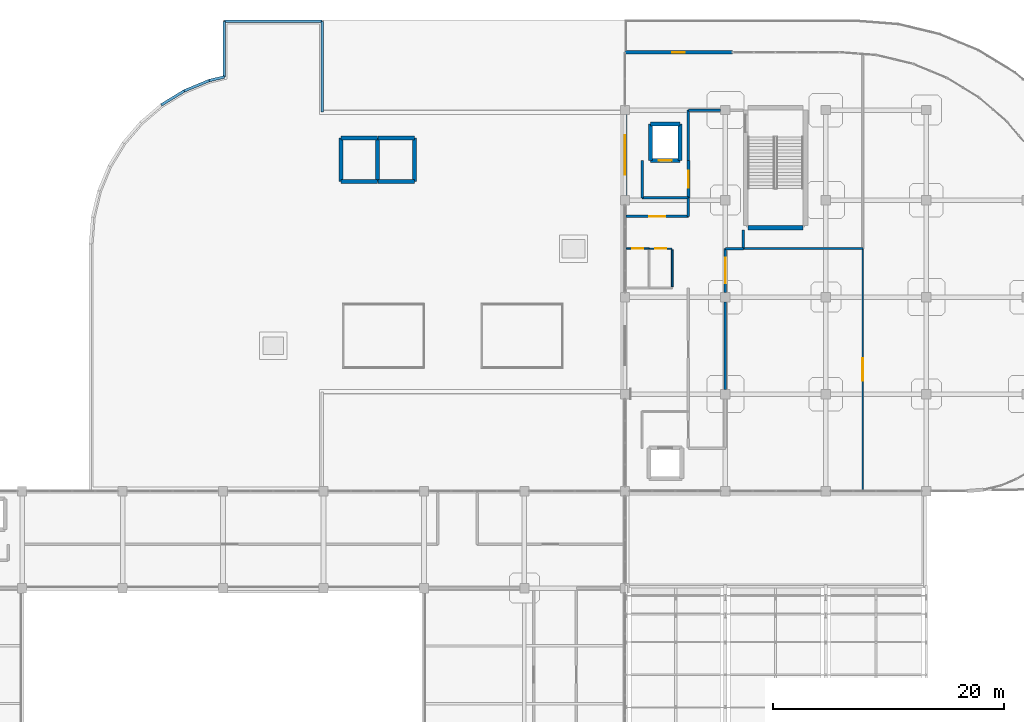
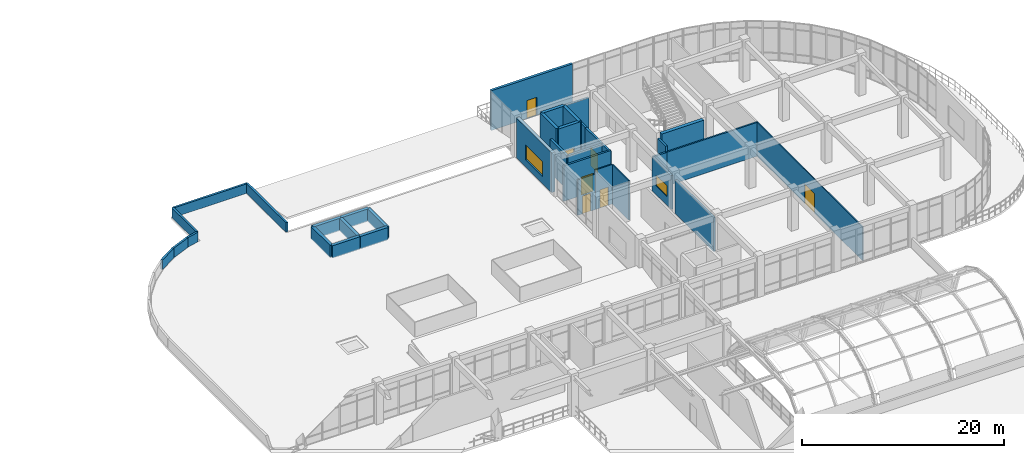
# One storey, part 109 of 124: 36 walls, 7 doors, 2 windows, 9 openings.
"""IFC4 building model written with IfcOpenShell, lengths in metres."""

from ifc_helpers import new_model, si_unit, derived_unit, direction, frame, frame_2d, origin, place, context, subcontext, project, spatial, rectangle, extrude, material, layer, layer_set, type_object, element, fill, save


model = new_model("IFC4")

# Units and contexts
model_context = context("Model", 3, precision=1e-05, world=origin(), true_north=direction((0.0, 1.0)))
body_context = subcontext(model_context, "Body", "Model", "MODEL_VIEW")
ifc_project = project(units=[si_unit("LENGTHUNIT", "METRE"), si_unit("AREAUNIT", "SQUARE_METRE"), si_unit("VOLUMEUNIT", "CUBIC_METRE"), si_unit("PLANEANGLEUNIT", "RADIAN"), si_unit("MASSUNIT", "GRAM", prefix="KILO"), derived_unit("THERMALTRANSMITTANCEUNIT", [(si_unit("MASSUNIT", "GRAM", prefix="KILO"), 1), (si_unit("TIMEUNIT", "SECOND"), -3), (si_unit("THERMODYNAMICTEMPERATUREUNIT", "KELVIN"), -1)])], contexts=[model_context])

# Site, building, storey
site_placement = place(None, origin())
site = spatial("IfcSite", under=ifc_project, at=site_placement, CompositionType="ELEMENT")
building_placement = place(site_placement, origin())
building = spatial("IfcBuilding", under=site, at=building_placement, Name="Qinzheling Arcade Emporium", CompositionType="ELEMENT")
storey_placement = place(building_placement, frame((0.0, 0.0, 16.5)))
storey = spatial("IfcBuildingStorey", under=building, at=storey_placement, Name="L04", CompositionType="ELEMENT", Elevation=16.5)

# Wall
ifc_material_1 = material(Name="Double-stud acoustic gypsum board partition")
ifc_layer_1 = layer(ifc_material_1, 0.215087890625, Name="Double-stud acoustic gypsum board partition")
ifc_layer_set_1 = layer_set([ifc_layer_1], Name="Double-stud acoustic gypsum board partition")
wall_type_1 = type_object("IfcWallType", Name="Acoustic Corridor Partition Wall 215", PredefinedType="PARTITIONING", material=ifc_layer_set_1)
wall_1_placement = place(storey_placement, frame((114.655029296875, 94.800048828125, 0.0), z_axis=(0.0, 0.0, 1.0), x_axis=(-1.0, 0.0, 0.0)))
element("IfcWall", 1, at=wall_1_placement, inside=storey, type_object=wall_type_1, Name="Interior Wall WL-L04-INT-0626", PredefinedType="PARTITIONING", context=body_context, shape_type="SweptSolid", body=[
    extrude(rectangle(XDim=1.554931640625, YDim=0.215087890625, at=frame_2d((0.77734375, 0.0))), origin(), (0.0, 0.0, 1.0), 4.074951171875),
])

# Wall, opening, window
wall_2_placement = place(storey_placement, frame((113.10009765625, 94.800048828125, 0.0), z_axis=(0.0, 0.0, 1.0), x_axis=(0.0, -1.0, 0.0)))
wall_2 = element("IfcWall", 2, at=wall_2_placement, inside=storey, type_object=wall_type_1, Name="Interior Wall WL-L04-INT-0627", PredefinedType="PARTITIONING", context=body_context, shape_type="SweptSolid", body=[
    extrude(rectangle(XDim=3.7900390625, YDim=0.215087890625, at=frame_2d((1.89501953125, 0.0))), origin(), (0.0, 0.0, 1.0), 4.074951171875),
])
opening_1_placement = place(wall_2_placement, frame((0.794921875, 0.0, 1.050048828125)))
opening_1 = element("IfcOpeningElement", 3, at=opening_1_placement, cuts=wall_2, Name="Opening IW01", PredefinedType="OPENING", context=body_context, shape_type="SweptSolid", body=[
    extrude(rectangle(XDim=2.199951171875, YDim=1.300048828125, at=frame_2d((1.10009765625, 0.64990234375))), frame((0.0, 0.11767578125, 0.0), z_axis=(0.0, -1.0, 0.0), x_axis=(1.0, 0.0, 0.0)), (0.0, 0.0, 1.0), 0.235107421875),
])
ifc_material_2 = material(Name="EI 60 fire-resistant clear safety glazing in steel frame", Category="steel")
window_type_1 = type_object("IfcWindowType", Name="Interior Fire-Glazed Observation Window 2200x1300", PartitioningType="DOUBLE_PANEL_VERTICAL", PredefinedType="USERDEFINED", material=ifc_material_2)
window_1_placement = place(opening_1_placement, origin())
window_1 = element("IfcWindow", 4, at=window_1_placement, inside=storey, type_object=window_type_1, Name="Interior Observation Window IWN-L04-03", ObjectType="BORROWED_LIGHT", OverallHeight=1.300048828125, OverallWidth=2.199951171875, PartitioningType="DOUBLE_PANEL_VERTICAL", PredefinedType="USERDEFINED", context=body_context, shape_type="SweptSolid", body=[
    extrude(rectangle(XDim=2.199951171875, YDim=1.300048828125, at=frame_2d((1.10009765625, 0.64990234375))), frame((0.0, 0.030029296875, 0.0), z_axis=(0.0, -1.0, 0.0), x_axis=(1.0, 0.0, 0.0)), (0.0, 0.0, 1.0), 0.06005859375),
])
fill(opening_1, window_1)

# Wall
wall_3_placement = place(storey_placement, frame((113.10009765625, 90.18994140625, 0.0), z_axis=(0.0, 0.0, 1.0), x_axis=(0.0, -1.0, 0.0)))
element("IfcWall", 5, at=wall_3_placement, inside=storey, type_object=wall_type_1, Name="Interior Wall WL-L04-INT-0628", PredefinedType="PARTITIONING", context=body_context, shape_type="SweptSolid", body=[
    extrude(rectangle(XDim=7.579833984375, YDim=0.215087890625, at=frame_2d((3.7900390625, 0.0))), origin(), (0.0, 0.0, 1.0), 4.074951171875),
])

# Wall, opening, door
wall_4_placement = place(storey_placement, frame((104.5, 97.60009765625, 0.0), z_axis=(0.0, 0.0, 1.0), x_axis=(1.0, 0.0, 0.0)))
wall_4 = element("IfcWall", 6, at=wall_4_placement, inside=storey, type_object=wall_type_1, Name="Interior Wall WL-L04-INT-0632", PredefinedType="PARTITIONING", context=body_context, shape_type="SweptSolid", body=[
    extrude(rectangle(XDim=5.39990234375, YDim=0.215087890625, at=frame_2d((2.699951171875, 0.0))), origin(), (0.0, 0.0, 1.0), 4.27490234375),
])
opening_2_placement = place(wall_4_placement, frame((2.02490234375, 0.0, 0.0)))
opening_2 = element("IfcOpeningElement", 7, at=opening_2_placement, cuts=wall_4, Name="Opening FD05", PredefinedType="OPENING", context=body_context, shape_type="SweptSolid", body=[
    extrude(rectangle(XDim=1.35009765625, YDim=2.199951171875, at=frame_2d((0.675048828125, 1.10009765625))), frame((0.0, 0.11767578125, 0.0), z_axis=(0.0, -1.0, 0.0), x_axis=(1.0, 0.0, 0.0)), (0.0, 0.0, 1.0), 0.235107421875),
])
ifc_material_3 = material(Name="Class B fire-rated stainless-clad door")
door_type_1 = type_object("IfcDoorType", Name="Kitchen Fire-Rated Service Door 1350x2200", OperationType="NOTDEFINED", PredefinedType="DOOR", material=ifc_material_3)
door_1_placement = place(opening_2_placement, origin())
door_1 = element("IfcDoor", 8, at=door_1_placement, inside=storey, type_object=door_type_1, Name="FD05 Interior Door DR-L04-INT-0192", OperationType="SINGLE_SWING_RIGHT", OverallHeight=2.199951171875, OverallWidth=1.35009765625, PredefinedType="DOOR", context=body_context, shape_type="SweptSolid", body=[
    extrude(rectangle(XDim=1.35009765625, YDim=2.199951171875, at=frame_2d((0.675048828125, 1.10009765625))), frame((0.0, 0.02490234375, 0.0), z_axis=(0.0, -1.0, 0.0), x_axis=(1.0, 0.0, 0.0)), (0.0, 0.0, 1.0), 0.050048828125),
])
fill(opening_2, door_1)

# Walls
wall_5_placement = place(storey_placement, frame((109.89990234375, 97.60009765625, 0.0), z_axis=(0.0, 0.0, 1.0), x_axis=(0.0, 1.0, 0.0)))
element("IfcWall", 9, at=wall_5_placement, inside=storey, type_object=wall_type_1, Name="Interior Wall WL-L04-INT-0633", PredefinedType="PARTITIONING", context=body_context, shape_type="SweptSolid", body=[
    extrude(rectangle(XDim=1.599853515625, YDim=0.215087890625, at=frame_2d((0.7998046875, 0.0))), origin(), (0.0, 0.0, 1.0), 4.074951171875),
])
wall_6_placement = place(storey_placement, frame((109.89990234375, 102.419921875, 0.0), z_axis=(0.0, 0.0, 1.0), x_axis=(0.0, 1.0, 0.0)))
element("IfcWall", 10, at=wall_6_placement, inside=storey, type_object=wall_type_1, Name="Interior Wall WL-L04-INT-0634", PredefinedType="PARTITIONING", context=body_context, shape_type="SweptSolid", body=[
    extrude(rectangle(XDim=4.380126953125, YDim=0.215087890625, at=frame_2d((2.18994140625, 0.0))), origin(), (0.0, 0.0, 1.0), 4.074951171875),
])
wall_7_placement = place(storey_placement, frame((109.89990234375, 106.800048828125, 0.0), z_axis=(0.0, 0.0, 1.0), x_axis=(1.0, 0.0, 0.0)))
element("IfcWall", 11, at=wall_7_placement, inside=storey, type_object=wall_type_1, Name="Interior Wall WL-L04-INT-0635", PredefinedType="PARTITIONING", context=body_context, shape_type="SweptSolid", body=[
    extrude(rectangle(XDim=2.7900390625, YDim=0.215087890625, at=frame_2d((1.39501953125, 0.0))), origin(), (0.0, 0.0, 1.0), 4.074951171875),
])
wall_8_placement = place(storey_placement, frame((114.655029296875, 96.39990234375, 0.0), z_axis=(0.0, 0.0, 1.0), x_axis=(0.0, -1.0, 0.0)))
element("IfcWall", 12, at=wall_8_placement, inside=storey, type_object=wall_type_1, Name="Interior Wall WL-L04-INT-0637", PredefinedType="PARTITIONING", context=body_context, shape_type="SweptSolid", body=[
    extrude(rectangle(XDim=1.599853515625, YDim=0.215087890625, at=frame_2d((0.7998046875, 0.0))), origin(), (0.0, 0.0, 1.0), 4.760009765625),
])
ifc_material_4 = material(Name="Concrete C40", Category="concrete")
ifc_layer_2 = layer(ifc_material_4, 0.35498046875, Name="Concrete C40", Category="concrete")
ifc_layer_set_2 = layer_set([ifc_layer_2], Name="Concrete C40")
wall_type_2 = type_object("IfcWallType", Name="Exterior Lift Overrun Shear Wall 355 C40", PredefinedType="SHEAR", material=ifc_layer_set_2)
for number, where, z_axis, x_axis, name in (
    (13, (79.824951171875, 104.375, 0.0), (0.0, 0.0, 1.0), (1.0, 0.0, 0.0), "Lift Overrun Wall WL-L04-OVR-LG01-N"),
    (14, (82.97509765625, 100.625, 0.0), (0.0, 0.0, 1.0), (-1.0, 0.0, 0.0), "Lift Overrun Wall WL-L04-OVR-LG01-S"),
):
    element("IfcWall", number, at=place(storey_placement, frame(where, z_axis=z_axis, x_axis=x_axis)), inside=storey, type_object=wall_type_2, Name=name, PredefinedType="SHEAR", context=body_context, shape_type="SweptSolid", body=[
        extrude(rectangle(XDim=3.150146484375, YDim=0.35498046875, at=frame_2d((1.5751953125, 0.0))), origin(), (0.0, 0.0, 1.0), 1.5),
    ])
for number, where, z_axis, x_axis, name in (
    (15, (79.824951171875, 100.625, 0.0), (0.0, 0.0, 1.0), (0.0, 1.0, 0.0), "Lift Overrun Wall WL-L04-OVR-LG01-W"),
    (16, (82.97509765625, 104.375, 0.0), (0.0, 0.0, 1.0), (0.0, -1.0, 0.0), "Lift Overrun Wall WL-L04-OVR-LG01-E"),
):
    element("IfcWall", number, at=place(storey_placement, frame(where, z_axis=z_axis, x_axis=x_axis)), inside=storey, type_object=wall_type_2, Name=name, PredefinedType="SHEAR", context=body_context, shape_type="SweptSolid", body=[
        extrude(rectangle(XDim=3.75, YDim=0.35498046875, at=frame_2d((1.875, 0.0))), origin(), (0.0, 0.0, 1.0), 1.5),
    ])
for number, where, z_axis, x_axis, name in (
    (17, (83.02490234375, 104.375, 0.0), (0.0, 0.0, 1.0), (1.0, 0.0, 0.0), "Lift Overrun Wall WL-L04-OVR-LG02-N"),
    (18, (86.175048828125, 100.625, 0.0), (0.0, 0.0, 1.0), (-1.0, 0.0, 0.0), "Lift Overrun Wall WL-L04-OVR-LG02-S"),
):
    element("IfcWall", number, at=place(storey_placement, frame(where, z_axis=z_axis, x_axis=x_axis)), inside=storey, type_object=wall_type_2, Name=name, PredefinedType="SHEAR", context=body_context, shape_type="SweptSolid", body=[
        extrude(rectangle(XDim=3.150146484375, YDim=0.35498046875, at=frame_2d((1.5751953125, 0.0))), origin(), (0.0, 0.0, 1.0), 1.5),
    ])
wall_9_placement = place(storey_placement, frame((86.175048828125, 104.375, 0.0), z_axis=(0.0, 0.0, 1.0), x_axis=(0.0, -1.0, 0.0)))
element("IfcWall", 19, at=wall_9_placement, inside=storey, type_object=wall_type_2, Name="Lift Overrun Wall WL-L04-OVR-LG02-E", PredefinedType="SHEAR", context=body_context, shape_type="SweptSolid", body=[
    extrude(rectangle(XDim=3.75, YDim=0.35498046875, at=frame_2d((1.875, 0.0))), origin(), (0.0, 0.0, 1.0), 1.5),
])

# Wall, opening, door
ifc_material_5 = material(Name="Fire-rated double-stud gypsum and mineral wool wall")
ifc_layer_3 = layer(ifc_material_5, 0.2451171875, Name="Fire-rated double-stud gypsum and mineral wool wall")
ifc_layer_set_3 = layer_set([ifc_layer_3], Name="Fire-rated double-stud gypsum and mineral wool wall")
wall_type_3 = type_object("IfcWallType", Name="Firefighting Lobby Rated Wall 245", PredefinedType="STANDARD", material=ifc_layer_set_3)
wall_10_placement = place(storey_placement, frame((109.89990234375, 102.419921875, 0.0), z_axis=(0.0, 0.0, 1.0), x_axis=(0.0, -1.0, 0.0)))
wall_10 = element("IfcWall", 20, at=wall_10_placement, inside=storey, type_object=wall_type_3, Name="Interior Wall WL-L04-INT-0595", PredefinedType="STANDARD", context=body_context, shape_type="SweptSolid", body=[
    extrude(rectangle(XDim=3.219970703125, YDim=0.2451171875, at=frame_2d((1.60986328125, 0.0))), origin(), (0.0, 0.0, 1.0), 4.074951171875),
])
opening_3_placement = place(wall_10_placement, frame((0.885009765625, 0.0, 0.0)))
opening_3 = element("IfcOpeningElement", 21, at=opening_3_placement, cuts=wall_10, Name="Opening FD02", PredefinedType="OPENING", context=body_context, shape_type="SweptSolid", body=[
    extrude(rectangle(XDim=1.449951171875, YDim=2.199951171875, at=frame_2d((0.72509765625, 1.10009765625))), frame((0.0, 0.132568359375, 0.0), z_axis=(0.0, -1.0, 0.0), x_axis=(1.0, 0.0, 0.0)), (0.0, 0.0, 1.0), 0.26513671875),
])
ifc_material_6 = material(Name="Class A fire-rated steel double door", Category="steel")
door_type_2 = type_object("IfcDoorType", Name="Firefighting Lobby Fire Door 1450x2200", OperationType="DOUBLE_DOOR_SINGLE_SWING", PredefinedType="DOOR", material=ifc_material_6)
door_2_placement = place(opening_3_placement, origin())
door_2 = element("IfcDoor", 22, at=door_2_placement, inside=storey, type_object=door_type_2, Name="FD02 Interior Door DR-L04-INT-0165", OperationType="DOUBLE_DOOR_SINGLE_SWING", OverallHeight=2.199951171875, OverallWidth=1.449951171875, PredefinedType="DOOR", context=body_context, shape_type="SweptSolid", body=[
    extrude(rectangle(XDim=1.449951171875, YDim=2.199951171875, at=frame_2d((0.72509765625, 1.10009765625))), frame((0.0, 0.02490234375, 0.0), z_axis=(0.0, -1.0, 0.0), x_axis=(1.0, 0.0, 0.0)), (0.0, 0.0, 1.0), 0.050048828125),
])
fill(opening_3, door_2)

# Walls
wall_11_placement = place(storey_placement, frame((109.89990234375, 99.199951171875, 0.0), z_axis=(0.0, 0.0, 1.0), x_axis=(-1.0, 0.0, 0.0)))
element("IfcWall", 23, at=wall_11_placement, inside=storey, type_object=wall_type_3, Name="Interior Wall WL-L04-INT-0596", PredefinedType="STANDARD", context=body_context, shape_type="SweptSolid", body=[
    extrude(rectangle(XDim=4.0, YDim=0.2451171875, at=frame_2d((2.0, 0.0))), origin(), (0.0, 0.0, 1.0), 4.074951171875),
])
wall_12_placement = place(storey_placement, frame((105.89990234375, 99.199951171875, 0.0), z_axis=(0.0, 0.0, 1.0), x_axis=(0.0, 1.0, 0.0)))
element("IfcWall", 24, at=wall_12_placement, inside=storey, type_object=wall_type_3, Name="Interior Wall WL-L04-INT-0597", PredefinedType="STANDARD", context=body_context, shape_type="SweptSolid", body=[
    extrude(rectangle(XDim=3.219970703125, YDim=0.2451171875, at=frame_2d((1.60986328125, 0.0))), origin(), (0.0, 0.0, 1.0), 4.074951171875),
])

# Wall, opening, window
ifc_material_7 = material(Name="Fluted granite ashlar on Concrete C40", Category="masonry")
ifc_layer_4 = layer(ifc_material_7, 0.35009765625, Name="Fluted granite ashlar on Concrete C40", Category="masonry")
ifc_layer_set_4 = layer_set([ifc_layer_4], Name="Fluted granite ashlar on Concrete C40")
wall_type_4 = type_object("IfcWallType", Name="Fluted Granite Logistics Wall 350", PredefinedType="STANDARD", material=ifc_layer_set_4)
wall_13_placement = place(storey_placement, frame((104.39990234375, 99.402099609375, 0.0), z_axis=(0.0, 0.0, 1.0), x_axis=(0.0, 1.0, 0.0)))
wall_13 = element("IfcWall", 25, at=wall_13_placement, inside=storey, type_object=wall_type_4, Name="Exterior Wall WL-L04-EW-0241", PredefinedType="STANDARD", context=body_context, shape_type="SweptSolid", body=[
    extrude(rectangle(XDim=6.995849609375, YDim=0.35009765625, at=frame_2d((3.498046875, 0.0))), origin(), (0.0, 0.0, 1.0), 4.7900390625),
])
opening_4_placement = place(wall_13_placement, frame((1.798095703125, 0.0, 0.85009765625)))
opening_4 = element("IfcOpeningElement", 26, at=opening_4_placement, cuts=wall_13, Name="Opening WN33", PredefinedType="OPENING", context=body_context, shape_type="SweptSolid", body=[
    extrude(rectangle(XDim=3.39990234375, YDim=1.800048828125, at=frame_2d((1.699951171875, 0.89990234375))), frame((0.0, 0.18505859375, 0.0), z_axis=(0.0, -1.0, 0.0), x_axis=(1.0, 0.0, 0.0)), (0.0, 0.0, 1.0), 0.3701171875),
])
ifc_material_8 = material(Name="Thermally broken aluminium frame with solar-control double glazing", Category="aluminium")
window_type_2 = type_object("IfcWindowType", Name="Chicago Tripartite Window 3400x1800", PartitioningType="TRIPLE_PANEL_VERTICAL", PredefinedType="WINDOW", material=ifc_material_8)
window_2_placement = place(opening_4_placement, origin())
window_2 = element("IfcWindow", 27, at=window_2_placement, inside=storey, type_object=window_type_2, Name="WN33 Window WN-L04-0064", OverallHeight=1.800048828125, OverallWidth=3.39990234375, PartitioningType="TRIPLE_PANEL_VERTICAL", PredefinedType="WINDOW", context=body_context, shape_type="SweptSolid", body=[
    extrude(rectangle(XDim=3.39990234375, YDim=1.800048828125, at=frame_2d((1.699951171875, 0.89990234375))), frame((0.0, 0.030029296875, 0.0), z_axis=(0.0, -1.0, 0.0), x_axis=(1.0, 0.0, 0.0)), (0.0, 0.0, 1.0), 0.06005859375),
])
fill(opening_4, window_2)

# Walls
ifc_material_9 = material(Name="Precast concrete C40", Category="concrete")
ifc_layer_5 = layer(ifc_material_9, 0.22998046875, Name="Precast concrete C40", Category="concrete")
ifc_layer_set_5 = layer_set([ifc_layer_5], Name="Precast concrete C40")
wall_type_5 = type_object("IfcWallType", Name="Logistics Acoustic Roof Parapet 230", PredefinedType="PARAPET", material=ifc_layer_set_5)
wall_14_placement = place(storey_placement, frame((64.2509765625, 107.241943359375, 0.0), z_axis=(0.0, 0.0, 1.0), x_axis=(0.852658350045, 0.522468887207, 0.0)))
element("IfcWall", 28, at=wall_14_placement, inside=storey, type_object=wall_type_5, Name="Roof Parapet WL-L04-PW-020", PredefinedType="PARAPET", context=body_context, shape_type="SweptSolid", body=[
    extrude(rectangle(XDim=2.3349609375, YDim=0.22998046875, at=frame_2d((1.16748046875, 0.0))), origin(), (0.0, 0.0, 1.0), 1.14990234375),
])
wall_15_placement = place(storey_placement, frame((66.241943359375, 108.4619140625, 0.0), z_axis=(0.0, 0.0, 1.0), x_axis=(0.923912424542, 0.382604014325, 0.0)))
element("IfcWall", 29, at=wall_15_placement, inside=storey, type_object=wall_type_5, Name="Roof Parapet WL-L04-PW-021", PredefinedType="PARAPET", context=body_context, shape_type="SweptSolid", body=[
    extrude(rectangle(XDim=2.336669921875, YDim=0.22998046875, at=frame_2d((1.16845703125, 0.0))), origin(), (0.0, 0.0, 1.0), 1.14990234375),
])
wall_16_placement = place(storey_placement, frame((68.40087890625, 109.35595703125, 0.0), z_axis=(0.0, 0.0, 1.0), x_axis=(0.972465958692, 0.233044972453, 0.0)))
element("IfcWall", 30, at=wall_16_placement, inside=storey, type_object=wall_type_5, Name="Roof Parapet WL-L04-PW-022", PredefinedType="PARAPET", context=body_context, shape_type="SweptSolid", body=[
    extrude(rectangle(XDim=1.351318359375, YDim=0.22998046875, at=frame_2d((0.67578125, 0.0))), origin(), (0.0, 0.0, 1.0), 1.14990234375),
])
wall_17_placement = place(storey_placement, frame((69.715087890625, 109.6708984375, 0.0), z_axis=(0.0, 0.0, 1.0), x_axis=(0.0, 1.0, 0.0)))
element("IfcWall", 31, at=wall_17_placement, inside=storey, type_object=wall_type_5, Name="Roof Parapet WL-L04-PW-023", PredefinedType="PARAPET", context=body_context, shape_type="SweptSolid", body=[
    extrude(rectangle(XDim=4.814208984375, YDim=0.22998046875, at=frame_2d((2.4072265625, 0.0))), origin(), (0.0, 0.0, 1.0), 1.14990234375),
])
wall_18_placement = place(storey_placement, frame((69.715087890625, 114.485107421875, 0.0), z_axis=(0.0, 0.0, 1.0), x_axis=(1.0, 0.0, 0.0)))
element("IfcWall", 32, at=wall_18_placement, inside=storey, type_object=wall_type_5, Name="Roof Parapet WL-L04-PW-024", PredefinedType="PARAPET", context=body_context, shape_type="SweptSolid", body=[
    extrude(rectangle(XDim=8.469970703125, YDim=0.22998046875, at=frame_2d((4.23486328125, 0.0))), origin(), (0.0, 0.0, 1.0), 1.14990234375),
])
wall_19_placement = place(storey_placement, frame((78.18505859375, 114.485107421875, 0.0), z_axis=(0.0, 0.0, 1.0), x_axis=(0.0, -1.0, 0.0)))
element("IfcWall", 33, at=wall_19_placement, inside=storey, type_object=wall_type_5, Name="Roof Parapet WL-L04-PW-025", PredefinedType="PARAPET", context=body_context, shape_type="SweptSolid", body=[
    extrude(rectangle(XDim=7.85009765625, YDim=0.22998046875, at=frame_2d((3.925048828125, 0.0))), origin(), (0.0, 0.0, 1.0), 1.14990234375),
])

# Wall, opening, door
ifc_material_10 = material(Name="Buff glazed terracotta insulated wall", Category="masonry")
ifc_layer_6 = layer(ifc_material_10, 0.2900390625, Name="Buff glazed terracotta insulated wall", Category="masonry")
ifc_layer_set_6 = layer_set([ifc_layer_6], Name="Buff glazed terracotta insulated wall")
wall_type_6 = type_object("IfcWallType", Name="Office Bar Terracotta Wall 290", PredefinedType="STANDARD", material=ifc_layer_set_6)
wall_20_placement = place(storey_placement, frame((104.39990234375, 111.800048828125, 0.0), z_axis=(0.0, 0.0, 1.0), x_axis=(1.0, 0.0, 0.0)))
wall_20 = element("IfcWall", 34, at=wall_20_placement, inside=storey, type_object=wall_type_6, Name="Exterior Wall WL-L04-EW-0242", PredefinedType="STANDARD", context=body_context, shape_type="SweptSolid", body=[
    extrude(rectangle(XDim=9.298095703125, YDim=0.2900390625, at=frame_2d((4.64892578125, 0.0))), origin(), (0.0, 0.0, 1.0), 4.7900390625),
])
opening_5_placement = place(wall_20_placement, frame((4.09912109375, 0.0, 0.0)))
opening_5 = element("IfcOpeningElement", 35, at=opening_5_placement, cuts=wall_20, Name="Opening TD04", PredefinedType="OPENING", context=body_context, shape_type="SweptSolid", body=[
    extrude(rectangle(XDim=1.10009765625, YDim=2.199951171875, at=frame_2d((0.550048828125, 1.10009765625))), frame((0.0, 0.155029296875, 0.0), z_axis=(0.0, -1.0, 0.0), x_axis=(1.0, 0.0, 0.0)), (0.0, 0.0, 1.0), 0.31005859375),
])
ifc_material_11 = material(Name="Thermally broken aluminium and double glass", Category="aluminium")
door_type_3 = type_object("IfcDoorType", Name="Buying Office Terrace Single Door 1100x2200", OperationType="NOTDEFINED", PredefinedType="DOOR", material=ifc_material_11)
door_3_placement = place(opening_5_placement, origin())
door_3 = element("IfcDoor", 36, at=door_3_placement, inside=storey, type_object=door_type_3, Name="TD04 Exterior Door DR-L04-EXT-035", OperationType="SINGLE_SWING_RIGHT", OverallHeight=2.199951171875, OverallWidth=1.10009765625, PredefinedType="DOOR", context=body_context, shape_type="SweptSolid", body=[
    extrude(rectangle(XDim=1.10009765625, YDim=2.199951171875, at=frame_2d((0.550048828125, 1.10009765625))), frame((0.0, 0.02490234375, 0.0), z_axis=(0.0, -1.0, 0.0), x_axis=(1.0, 0.0, 0.0)), (0.0, 0.0, 1.0), 0.050048828125),
])
fill(opening_5, door_3)

# Wall
ifc_layer_7 = layer(ifc_material_4, 0.35009765625, Name="Concrete C40", Category="concrete")
ifc_layer_set_7 = layer_set([ifc_layer_7], Name="Concrete C40")
wall_type_7 = type_object("IfcWallType", Name="RC Lift Shaft Shear Wall 350 C40", PredefinedType="SHEAR", material=ifc_layer_set_7)
wall_21_placement = place(storey_placement, frame((106.625, 105.574951171875, 0.0), z_axis=(0.0, 0.0, 1.0), x_axis=(1.0, 0.0, 0.0)))
element("IfcWall", 37, at=wall_21_placement, inside=storey, type_object=wall_type_7, Name="Lift Shaft Wall WL-L04-LFT-LF03-N", PredefinedType="SHEAR", context=body_context, shape_type="SweptSolid", body=[
    extrude(rectangle(XDim=2.550048828125, YDim=0.35009765625, at=frame_2d((1.27490234375, 0.0))), origin(), (0.0, 0.0, 1.0), 5.10009765625),
])

# Wall, opening, door
wall_22_placement = place(storey_placement, frame((109.175048828125, 102.425048828125, 0.0), z_axis=(0.0, 0.0, 1.0), x_axis=(-1.0, 0.0, 0.0)))
wall_22 = element("IfcWall", 38, at=wall_22_placement, inside=storey, type_object=wall_type_7, Name="Lift Shaft Wall WL-L04-LFT-LF03-S", PredefinedType="SHEAR", context=body_context, shape_type="SweptSolid", body=[
    extrude(rectangle(XDim=2.550048828125, YDim=0.35009765625, at=frame_2d((1.27490234375, 0.0))), origin(), (0.0, 0.0, 1.0), 5.10009765625),
])
opening_6_placement = place(wall_22_placement, frame((0.72509765625, 0.0, 0.0)))
opening_6 = element("IfcOpeningElement", 39, at=opening_6_placement, cuts=wall_22, Name="Opening LD01", PredefinedType="OPENING", context=body_context, shape_type="SweptSolid", body=[
    extrude(rectangle(XDim=1.10009765625, YDim=2.199951171875, at=frame_2d((0.550048828125, 1.10009765625))), frame((0.0, 0.18505859375, 0.0), z_axis=(0.0, -1.0, 0.0), x_axis=(1.0, 0.0, 0.0)), (0.0, 0.0, 1.0), 0.3701171875),
])
ifc_material_12 = material(Name="Fire-rated stainless steel sliding lift door", Category="steel")
door_type_4 = type_object("IfcDoorType", Name="Firefighting Lift Sliding Landing Door 1100x2200", OperationType="DOUBLE_DOOR_SLIDING", PredefinedType="DOOR", material=ifc_material_12)
door_4_placement = place(opening_6_placement, origin())
door_4 = element("IfcDoor", 40, at=door_4_placement, inside=storey, type_object=door_type_4, Name="LD01 Lift Landing Door LF03 L04", OperationType="DOUBLE_DOOR_SLIDING", OverallHeight=2.199951171875, OverallWidth=1.10009765625, PredefinedType="DOOR", context=body_context, shape_type="SweptSolid", body=[
    extrude(rectangle(XDim=1.10009765625, YDim=2.199951171875, at=frame_2d((0.550048828125, 1.10009765625))), frame((0.0, 0.02490234375, 0.0), z_axis=(0.0, -1.0, 0.0), x_axis=(1.0, 0.0, 0.0)), (0.0, 0.0, 1.0), 0.050048828125),
])
fill(opening_6, door_4)

# Walls
for number, where, z_axis, x_axis, name in (
    (41, (106.625, 102.425048828125, 0.0), (0.0, 0.0, 1.0), (0.0, 1.0, 0.0), "Lift Shaft Wall WL-L04-LFT-LF03-W"),
    (42, (109.175048828125, 105.574951171875, 0.0), (0.0, 0.0, 1.0), (0.0, -1.0, 0.0), "Lift Shaft Wall WL-L04-LFT-LF03-E"),
):
    element("IfcWall", number, at=place(storey_placement, frame(where, z_axis=z_axis, x_axis=x_axis)), inside=storey, type_object=wall_type_7, Name=name, PredefinedType="SHEAR", context=body_context, shape_type="SweptSolid", body=[
        extrude(rectangle(XDim=3.14990234375, YDim=0.35009765625, at=frame_2d((1.574951171875, 0.0))), origin(), (0.0, 0.0, 1.0), 5.10009765625),
    ])
ifc_material_13 = material(Name="Concrete C50", Category="concrete")
ifc_layer_8 = layer(ifc_material_13, 0.39990234375, Name="Concrete C50", Category="concrete")
ifc_layer_set_8 = layer_set([ifc_layer_8], Name="Concrete C50")
wall_type_8 = type_object("IfcWallType", Name="RC Stair Core Shear Wall 400 C50", PredefinedType="SHEAR", material=ifc_layer_set_8)
wall_23_placement = place(storey_placement, frame((119.844970703125, 96.60009765625, 0.0), z_axis=(0.0, 0.0, 1.0), x_axis=(-1.0, 0.0, 0.0)))
element("IfcWall", 43, at=wall_23_placement, inside=storey, type_object=wall_type_8, Name="Stair Core Wall WL-L04-ST08-SOUTH", PredefinedType="SHEAR", context=body_context, shape_type="SweptSolid", body=[
    extrude(rectangle(XDim=4.7900390625, YDim=0.39990234375, at=frame_2d((2.39501953125, 0.0))), origin(), (0.0, 0.0, 1.0), 5.10009765625),
])
ifc_material_14 = material(Name="Double-board salon partition")
ifc_layer_9 = layer(ifc_material_14, 0.175048828125, Name="Double-board salon partition")
ifc_layer_set_9 = layer_set([ifc_layer_9], Name="Double-board salon partition")
wall_type_9 = type_object("IfcWallType", Name="Salon Acoustic Partition Wall 175", PredefinedType="PARTITIONING", material=ifc_layer_set_9)
wall_24_placement = place(storey_placement, frame((114.655029296875, 94.800048828125, 0.0), z_axis=(0.0, 0.0, 1.0), x_axis=(1.0, 0.0, 0.0)))
element("IfcWall", 44, at=wall_24_placement, inside=storey, type_object=wall_type_9, Name="Interior Wall WL-L04-INT-0688", PredefinedType="PARTITIONING", context=body_context, shape_type="SweptSolid", body=[
    extrude(rectangle(XDim=10.344970703125, YDim=0.175048828125, at=frame_2d((5.17236328125, 0.0))), origin(), (0.0, 0.0, 1.0), 4.074951171875),
])

# Wall, opening, door
ifc_material_15 = material(Name="Galvanised steel-stud stockroom partition", Category="steel")
ifc_layer_10 = layer(ifc_material_15, 0.114990234375, Name="Galvanised steel-stud stockroom partition", Category="steel")
ifc_layer_set_10 = layer_set([ifc_layer_10], Name="Galvanised steel-stud stockroom partition")
wall_type_10 = type_object("IfcWallType", Name="Storage Cage Partition Wall 115", PredefinedType="PARTITIONING", material=ifc_layer_set_10)
wall_25_placement = place(storey_placement, frame((125.0, 94.800048828125, 0.0), z_axis=(0.0, 0.0, 1.0), x_axis=(0.0, -1.0, 0.0)))
wall_25 = element("IfcWall", 45, at=wall_25_placement, inside=storey, type_object=wall_type_10, Name="Interior Wall WL-L04-INT-0687", PredefinedType="PARTITIONING", context=body_context, shape_type="SweptSolid", body=[
    extrude(rectangle(XDim=20.900146484375, YDim=0.114990234375, at=frame_2d((10.4501953125, 0.0))), origin(), (0.0, 0.0, 1.0), 4.074951171875),
])
opening_7_placement = place(wall_25_placement, frame((9.47509765625, 0.0, 0.0)))
opening_7 = element("IfcOpeningElement", 46, at=opening_7_placement, cuts=wall_25, Name="Opening D02", PredefinedType="OPENING", context=body_context, shape_type="SweptSolid", body=[
    extrude(rectangle(XDim=1.949951171875, YDim=2.35009765625, at=frame_2d((0.97509765625, 1.175048828125))), frame((0.0, 0.0673828125, 0.0), z_axis=(0.0, -1.0, 0.0), x_axis=(1.0, 0.0, 0.0)), (0.0, 0.0, 1.0), 0.135009765625),
])
ifc_material_16 = material(Name="Bronze-framed tempered glass double door", Category="glass")
door_type_5 = type_object("IfcDoorType", Name="Boutique Entrance Double Door 1950x2350", OperationType="DOUBLE_DOOR_SINGLE_SWING", PredefinedType="DOOR", material=ifc_material_16)
door_5_placement = place(opening_7_placement, origin())
door_5 = element("IfcDoor", 47, at=door_5_placement, inside=storey, type_object=door_type_5, Name="D02 Interior Door DR-L04-INT-0191", OperationType="DOUBLE_DOOR_SINGLE_SWING", OverallHeight=2.35009765625, OverallWidth=1.949951171875, PredefinedType="DOOR", context=body_context, shape_type="SweptSolid", body=[
    extrude(rectangle(XDim=1.949951171875, YDim=2.35009765625, at=frame_2d((0.97509765625, 1.175048828125))), frame((0.0, 0.02490234375, 0.0), z_axis=(0.0, -1.0, 0.0), x_axis=(1.0, 0.0, 0.0)), (0.0, 0.0, 1.0), 0.050048828125),
])
fill(opening_7, door_5)

ifc_material_17 = material(Name="Moisture-resistant cement-board WC partition")
ifc_layer_11 = layer(ifc_material_17, 0.14501953125, Name="Moisture-resistant cement-board WC partition")
ifc_layer_set_11 = layer_set([ifc_layer_11], Name="Moisture-resistant cement-board WC partition")
wall_type_11 = type_object("IfcWallType", Name="Washroom Moisture Partition Wall 145", PredefinedType="PARTITIONING", material=ifc_layer_set_11)
wall_26_placement = place(storey_placement, frame((104.5, 94.800048828125, 0.0), z_axis=(0.0, 0.0, 1.0), x_axis=(1.0, 0.0, 0.0)))
wall_26 = element("IfcWall", 48, at=wall_26_placement, inside=storey, type_object=wall_type_11, Name="Interior Wall WL-L04-INT-0618", PredefinedType="PARTITIONING", context=body_context, shape_type="SweptSolid", body=[
    extrude(rectangle(XDim=2.0, YDim=0.14501953125, at=frame_2d((1.0, 0.0))), origin(), (0.0, 0.0, 1.0), 4.27490234375),
])
opening_8_placement = place(wall_26_placement, frame((0.52490234375, 0.0, 0.0)))
opening_8 = element("IfcOpeningElement", 49, at=opening_8_placement, cuts=wall_26, Name="Opening D12", PredefinedType="OPENING", context=body_context, shape_type="SweptSolid", body=[
    extrude(rectangle(XDim=0.949951171875, YDim=2.14990234375, at=frame_2d((0.47509765625, 1.074951171875))), frame((0.0, 0.08251953125, 0.0), z_axis=(0.0, -1.0, 0.0), x_axis=(1.0, 0.0, 0.0)), (0.0, 0.0, 1.0), 0.1650390625),
])
ifc_material_18 = material(Name="Antimicrobial high-pressure laminate door")
door_type_6 = type_object("IfcDoorType", Name="Public Male Washroom Door 950x2150", OperationType="NOTDEFINED", PredefinedType="DOOR", material=ifc_material_18)
door_6_placement = place(opening_8_placement, origin())
door_6 = element("IfcDoor", 50, at=door_6_placement, inside=storey, type_object=door_type_6, Name="D12 Interior Door DR-L04-INT-0173", OperationType="SINGLE_SWING_RIGHT", OverallHeight=2.14990234375, OverallWidth=0.949951171875, PredefinedType="DOOR", context=body_context, shape_type="SweptSolid", body=[
    extrude(rectangle(XDim=0.949951171875, YDim=2.14990234375, at=frame_2d((0.47509765625, 1.074951171875))), frame((0.0, 0.02490234375, 0.0), z_axis=(0.0, -1.0, 0.0), x_axis=(1.0, 0.0, 0.0)), (0.0, 0.0, 1.0), 0.050048828125),
])
fill(opening_8, door_6)

wall_27_placement = place(storey_placement, frame((106.5, 94.800048828125, 0.0), z_axis=(0.0, 0.0, 1.0), x_axis=(1.0, 0.0, 0.0)))
wall_27 = element("IfcWall", 51, at=wall_27_placement, inside=storey, type_object=wall_type_11, Name="Interior Wall WL-L04-INT-0620", PredefinedType="PARTITIONING", context=body_context, shape_type="SweptSolid", body=[
    extrude(rectangle(XDim=2.0, YDim=0.14501953125, at=frame_2d((1.0, 0.0))), origin(), (0.0, 0.0, 1.0), 4.760009765625),
])
opening_9_placement = place(wall_27_placement, frame((0.52490234375, 0.0, 0.0)))
opening_9 = element("IfcOpeningElement", 52, at=opening_9_placement, cuts=wall_27, Name="Opening D13", PredefinedType="OPENING", context=body_context, shape_type="SweptSolid", body=[
    extrude(rectangle(XDim=0.949951171875, YDim=2.199951171875, at=frame_2d((0.47509765625, 1.10009765625))), frame((0.0, 0.08251953125, 0.0), z_axis=(0.0, -1.0, 0.0), x_axis=(1.0, 0.0, 0.0)), (0.0, 0.0, 1.0), 0.1650390625),
])
door_type_7 = type_object("IfcDoorType", Name="Public Female Washroom Door 950x2200", OperationType="NOTDEFINED", PredefinedType="DOOR", material=ifc_material_18)
door_7_placement = place(opening_9_placement, origin())
door_7 = element("IfcDoor", 53, at=door_7_placement, inside=storey, type_object=door_type_7, Name="D13 Interior Door DR-L04-INT-0174", OperationType="SINGLE_SWING_LEFT", OverallHeight=2.199951171875, OverallWidth=0.949951171875, PredefinedType="DOOR", context=body_context, shape_type="SweptSolid", body=[
    extrude(rectangle(XDim=0.949951171875, YDim=2.199951171875, at=frame_2d((0.47509765625, 1.10009765625))), frame((0.0, 0.02490234375, 0.0), z_axis=(0.0, -1.0, 0.0), x_axis=(1.0, 0.0, 0.0)), (0.0, 0.0, 1.0), 0.050048828125),
])
fill(opening_9, door_7)

# Wall
wall_28_placement = place(storey_placement, frame((108.5, 94.697021484375, 0.0), z_axis=(0.0, 0.0, 1.0), x_axis=(0.0, -1.0, 0.0)))
element("IfcWall", 54, at=wall_28_placement, inside=storey, type_object=wall_type_11, Name="Interior Wall WL-L04-INT-0690", PredefinedType="PARTITIONING", context=body_context, shape_type="SweptSolid", body=[
    extrude(rectangle(XDim=3.194091796875, YDim=0.14501953125, at=frame_2d((1.59716796875, 0.0))), origin(), (0.0, 0.0, 1.0), 4.760009765625),
])

save(model, "model.ifc")
